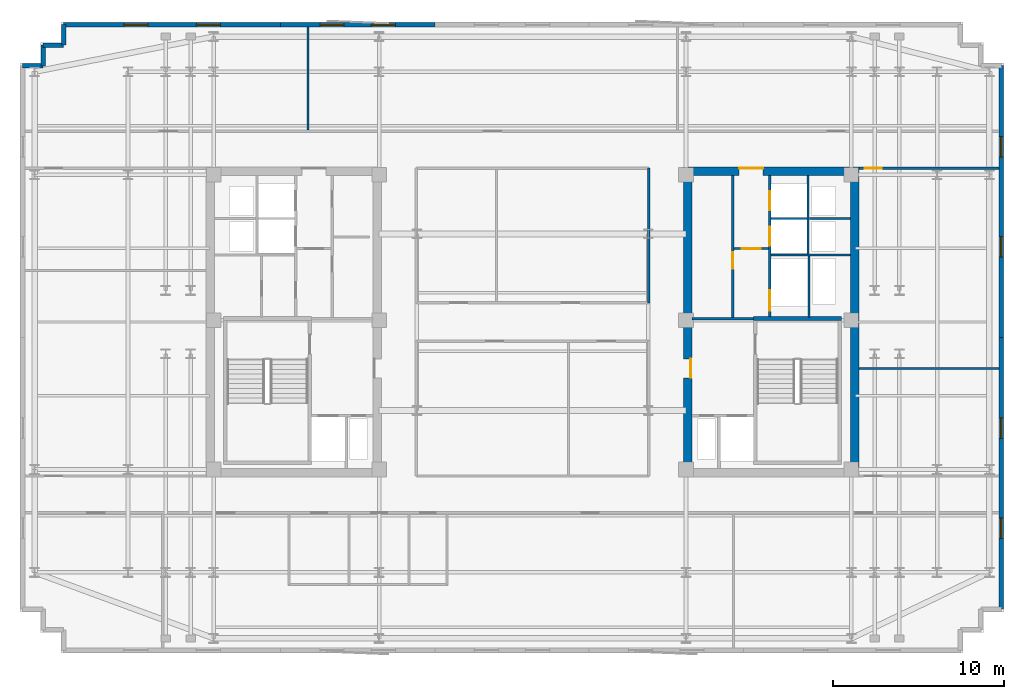
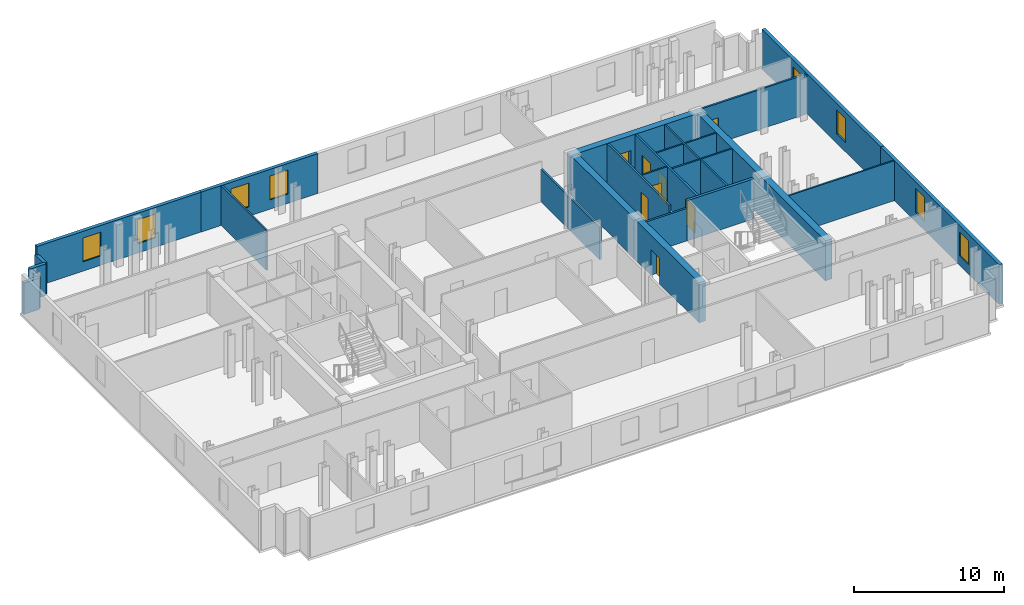
# One storey, part 6 of 9: 25 walls, 8 doors, 8 windows, 16 openings.
"""IFC4 building model written with IfcOpenShell, lengths in metres."""

from ifc_helpers import new_model, si_unit, direction, frame, frame_2d, origin, place, context, subcontext, project, spatial, rectangle, extrude, material, layer, layer_set, type_object, element, fill, save


model = new_model("IFC4")

# Units and contexts
model_context = context("Model", 3, precision=1e-05, world=origin(), true_north=direction((0.0, 1.0)))
body_context = subcontext(model_context, "Body", "Model", "MODEL_VIEW")
ifc_project = project(units=[si_unit("LENGTHUNIT", "METRE"), si_unit("AREAUNIT", "SQUARE_METRE"), si_unit("VOLUMEUNIT", "CUBIC_METRE"), si_unit("PLANEANGLEUNIT", "RADIAN"), si_unit("MASSUNIT", "GRAM", prefix="KILO")], contexts=[model_context])

# Site, building, storey
site_placement = place(None, origin())
site = spatial("IfcSite", under=ifc_project, at=site_placement, CompositionType="ELEMENT")
building_placement = place(site_placement, origin())
building = spatial("IfcBuilding", under=site, at=building_placement, Name="Velakula Bourse", CompositionType="ELEMENT")
storey_placement = place(building_placement, frame((0.0, 0.0, 215.39990234375)))
storey = spatial("IfcBuildingStorey", under=building, at=storey_placement, Name="L58", CompositionType="ELEMENT", Elevation=215.39990234375)

# Wall
ifc_material_1 = material(Name="Concrete M50 (fck 50 MPa)", Category="concrete")
ifc_layer_1 = layer(ifc_material_1, 0.2099609375, Name="Concrete M50 (fck 50 MPa)", Category="concrete")
ifc_layer_set_1 = layer_set([ifc_layer_1], Name="Concrete M50 (fck 50 MPa)")
wall_type_1 = type_object("IfcWallType", Name="WL-CORE-210", PredefinedType="SHEAR", material=ifc_layer_set_1)
wall_1_placement = place(storey_placement, frame((18.030029296875, 0.205078125, 0.0), z_axis=(0.0, 0.0, 1.0), x_axis=(-1.0, 0.0, 0.0)))
element("IfcWall", 1, at=wall_1_placement, inside=storey, type_object=wall_type_1, Name="L58 Core E Stairwell Shear Wall N", PredefinedType="SHEAR", context=body_context, shape_type="SweptSolid", body=[
    extrude(rectangle(XDim=5.14013671875, YDim=0.2099609375, at=frame_2d((2.570068359375, 0.0))), origin(), (0.0, 0.0, 1.0), 3.27001953125),
])

# Wall, opening, door
ifc_layer_2 = layer(ifc_material_1, 0.5, Name="Concrete M50 (fck 50 MPa)", Category="concrete")
ifc_layer_set_2 = layer_set([ifc_layer_2], Name="Concrete M50 (fck 50 MPa)")
wall_type_2 = type_object("IfcWallType", Name="WL-CORE-500", PredefinedType="SHEAR", material=ifc_layer_set_2)
wall_2_placement = place(storey_placement, frame((8.800048828125, 8.800048828125, 0.0), z_axis=(0.0, 0.0, 1.0), x_axis=(1.0, 0.0, 0.0)))
wall_2 = element("IfcWall", 2, at=wall_2_placement, inside=storey, type_object=wall_type_2, Name="L58 Core E Shear Wall N", PredefinedType="SHEAR", context=body_context, shape_type="SweptSolid", body=[
    extrude(rectangle(XDim=10.25, YDim=0.5, at=frame_2d((5.125, 0.0))), origin(), (0.0, 0.0, 1.0), 3.27001953125),
])
opening_1_placement = place(wall_2_placement, frame((3.25, 0.0, 0.0)))
opening_1 = element("IfcOpeningElement", 3, at=opening_1_placement, cuts=wall_2, Name="Opening D-LLE", PredefinedType="OPENING", context=body_context, shape_type="SweptSolid", body=[
    extrude(rectangle(XDim=1.39990234375, YDim=2.050048828125, at=frame_2d((0.699951171875, 1.02490234375))), frame((0.0, 0.260009765625, 0.0), z_axis=(0.0, -1.0, 0.0), x_axis=(1.0, 0.0, 0.0)), (0.0, 0.0, 1.0), 0.52001953125),
])
ifc_material_2 = material(Name="Fire-rated hardwood flush architectural door", Category="wood")
door_type_1 = type_object("IfcDoorType", Name="DR-DBL-FD60-1400", OperationType="DOUBLE_DOOR_SINGLE_SWING", PredefinedType="DOOR", material=ifc_material_2)
door_1_placement = place(opening_1_placement, origin())
door_1 = element("IfcDoor", 4, at=door_1_placement, inside=storey, type_object=door_type_1, Name="L58 Core E Lift Lobby Corridor Double Door", OperationType="DOUBLE_DOOR_SINGLE_SWING", OverallHeight=2.050048828125, OverallWidth=1.39990234375, PredefinedType="DOOR", context=body_context, shape_type="SweptSolid", body=[
    extrude(rectangle(XDim=1.39990234375, YDim=2.050048828125, at=frame_2d((0.699951171875, 1.02490234375))), frame((0.0, 0.19482421875, 0.0), z_axis=(0.0, -1.0, 0.0), x_axis=(1.0, 0.0, 0.0)), (0.0, 0.0, 1.0), 0.050048828125),
])
fill(opening_1, door_1)

wall_3_placement = place(storey_placement, frame((9.050048828125, -8.550048828125, 0.0), z_axis=(0.0, 0.0, 1.0), x_axis=(0.0, 1.0, 0.0)))
wall_3 = element("IfcWall", 5, at=wall_3_placement, inside=storey, type_object=wall_type_2, Name="L58 Core E Shear Wall W", PredefinedType="SHEAR", context=body_context, shape_type="SweptSolid", body=[
    extrude(rectangle(XDim=17.10009765625, YDim=0.5, at=frame_2d((8.550048828125, 0.0))), origin(), (0.0, 0.0, 1.0), 3.27001953125),
])
opening_2_placement = place(wall_3_placement, frame((5.300048828125, 0.0, 0.0)))
opening_2 = element("IfcOpeningElement", 6, at=opening_2_placement, cuts=wall_3, Name="Opening D-FLE", PredefinedType="OPENING", context=body_context, shape_type="SweptSolid", body=[
    extrude(rectangle(XDim=1.10009765625, YDim=2.080078125, at=frame_2d((0.550048828125, 1.0400390625))), frame((0.0, 0.260009765625, 0.0), z_axis=(0.0, -1.0, 0.0), x_axis=(1.0, 0.0, 0.0)), (0.0, 0.0, 1.0), 0.52001953125),
])
ifc_material_3 = material(Name="Galvanised painted hollow steel fire door", Category="steel")
door_type_2 = type_object("IfcDoorType", Name="DR-FD120-1100", OperationType="NOTDEFINED", PredefinedType="DOOR", material=ifc_material_3)
door_2_placement = place(opening_2_placement, origin())
door_2 = element("IfcDoor", 7, at=door_2_placement, inside=storey, type_object=door_type_2, Name="L58 Firefighting Lobby E Corridor Fire Door", OperationType="SINGLE_SWING_RIGHT", OverallHeight=2.080078125, OverallWidth=1.10009765625, PredefinedType="DOOR", context=body_context, shape_type="SweptSolid", body=[
    extrude(rectangle(XDim=1.10009765625, YDim=2.080078125, at=frame_2d((0.550048828125, 1.0400390625))), frame((0.0, -0.15478515625, 0.0), z_axis=(0.0, -1.0, 0.0), x_axis=(1.0, 0.0, 0.0)), (0.0, 0.0, 1.0), 0.050048828125),
])
fill(opening_2, door_2)

# Wall
wall_4_placement = place(storey_placement, frame((18.800048828125, -8.550048828125, 0.0), z_axis=(0.0, 0.0, 1.0), x_axis=(0.0, 1.0, 0.0)))
element("IfcWall", 8, at=wall_4_placement, inside=storey, type_object=wall_type_2, Name="L58 Core E Shear Wall E", PredefinedType="SHEAR", context=body_context, shape_type="SweptSolid", body=[
    extrude(rectangle(XDim=17.10009765625, YDim=0.5, at=frame_2d((8.550048828125, 0.0))), origin(), (0.0, 0.0, 1.0), 3.27001953125),
])

# Wall, openings, windows
ifc_material_4 = material(Name="Buff kilned clay facing brick masonry", Category="masonry")
ifc_layer_3 = layer(ifc_material_4, 0.260009765625, Name="Buff kilned clay facing brick masonry", Category="masonry")
ifc_layer_set_3 = layer_set([ifc_layer_3], Name="Buff kilned clay facing brick masonry")
wall_type_3 = type_object("IfcWallType", Name="WL-EXT-BRK-260", PredefinedType="STANDARD", material=ifc_layer_set_3)
wall_5_placement = place(storey_placement, frame((-27.35009765625, 17.35009765625, 0.0), z_axis=(0.0, 0.0, 1.0), x_axis=(1.0, 0.0, 0.0)))
wall_5 = element("IfcWall", 9, at=wall_5_placement, inside=storey, type_object=wall_type_3, Name="L58 N Brick Spandrel Wall B1", PredefinedType="STANDARD", context=body_context, shape_type="SweptSolid", body=[
    extrude(rectangle(XDim=12.650146484375, YDim=0.260009765625, at=frame_2d((6.3251953125, 0.0))), origin(), (0.0, 0.0, 1.0), 3.25),
])
opening_3_placement = place(wall_5_placement, frame((3.5166015625, 0.0, 0.760009765625)))
opening_3 = element("IfcOpeningElement", 10, at=opening_3_placement, cuts=wall_5, Name="Opening W-03", PredefinedType="OPENING", context=body_context, shape_type="SweptSolid", body=[
    extrude(rectangle(XDim=1.39990234375, YDim=1.949951171875, at=frame_2d((0.699951171875, 0.97509765625))), frame((0.0, 0.139892578125, 0.0), z_axis=(0.0, -1.0, 0.0), x_axis=(1.0, 0.0, 0.0)), (0.0, 0.0, 1.0), 0.280029296875),
])
opening_4_placement = place(wall_5_placement, frame((7.7333984375, 0.0, 0.760009765625)))
opening_4 = element("IfcOpeningElement", 11, at=opening_4_placement, cuts=wall_5, Name="Opening W-03", PredefinedType="OPENING", context=body_context, shape_type="SweptSolid", body=[
    extrude(rectangle(XDim=1.39990234375, YDim=1.949951171875, at=frame_2d((0.699951171875, 0.97509765625))), frame((0.0, 0.139892578125, 0.0), z_axis=(0.0, -1.0, 0.0), x_axis=(1.0, 0.0, 0.0)), (0.0, 0.0, 1.0), 0.280029296875),
])
ifc_material_5 = material(Name="Double-glazed solar-control Low-E glass", Category="glass")
window_type_1 = type_object("IfcWindowType", Name="WIN-TWR-1400x2100", PartitioningType="SINGLE_PANEL", PredefinedType="WINDOW", material=ifc_material_5)
window_1_placement = place(opening_3_placement, origin())
window_1 = element("IfcWindow", 12, at=window_1_placement, inside=storey, type_object=window_type_1, Name="L58 Deep-Set Recessed Window 1", OverallHeight=1.949951171875, OverallWidth=1.39990234375, PartitioningType="SINGLE_PANEL", PredefinedType="WINDOW", context=body_context, shape_type="SweptSolid", body=[
    extrude(rectangle(XDim=1.39990234375, YDim=1.949951171875, at=frame_2d((0.699951171875, 0.97509765625))), frame((0.0, 0.030029296875, 0.0), z_axis=(0.0, -1.0, 0.0), x_axis=(1.0, 0.0, 0.0)), (0.0, 0.0, 1.0), 0.06005859375),
])
fill(opening_3, window_1)
window_2_placement = place(opening_4_placement, origin())
window_2 = element("IfcWindow", 13, at=window_2_placement, inside=storey, type_object=window_type_1, Name="L58 Deep-Set Recessed Window 2", OverallHeight=1.949951171875, OverallWidth=1.39990234375, PartitioningType="SINGLE_PANEL", PredefinedType="WINDOW", context=body_context, shape_type="SweptSolid", body=[
    extrude(rectangle(XDim=1.39990234375, YDim=1.949951171875, at=frame_2d((0.699951171875, 0.97509765625))), frame((0.0, 0.030029296875, 0.0), z_axis=(0.0, -1.0, 0.0), x_axis=(1.0, 0.0, 0.0)), (0.0, 0.0, 1.0), 0.06005859375),
])
fill(opening_4, window_2)

wall_6_placement = place(storey_placement, frame((-14.699951171875, 17.35009765625, 0.0), z_axis=(0.0, 0.0, 1.0), x_axis=(1.0, 0.0, 0.0)))
wall_6 = element("IfcWall", 14, at=wall_6_placement, inside=storey, type_object=wall_type_3, Name="L58 N Brick Spandrel Wall B2", PredefinedType="STANDARD", context=body_context, shape_type="SweptSolid", body=[
    extrude(rectangle(XDim=9.0, YDim=0.260009765625, at=frame_2d((4.5, 0.0))), origin(), (0.0, 0.0, 1.0), 3.25),
])
opening_5_placement = place(wall_6_placement, frame((2.300048828125, 0.0, 0.760009765625)))
opening_5 = element("IfcOpeningElement", 15, at=opening_5_placement, cuts=wall_6, Name="Opening W-03", PredefinedType="OPENING", context=body_context, shape_type="SweptSolid", body=[
    extrude(rectangle(XDim=1.39990234375, YDim=1.949951171875, at=frame_2d((0.699951171875, 0.97509765625))), frame((0.0, 0.139892578125, 0.0), z_axis=(0.0, -1.0, 0.0), x_axis=(1.0, 0.0, 0.0)), (0.0, 0.0, 1.0), 0.280029296875),
])
opening_6_placement = place(wall_6_placement, frame((5.300048828125, 0.0, 0.760009765625)))
opening_6 = element("IfcOpeningElement", 16, at=opening_6_placement, cuts=wall_6, Name="Opening W-03", PredefinedType="OPENING", context=body_context, shape_type="SweptSolid", body=[
    extrude(rectangle(XDim=1.39990234375, YDim=1.949951171875, at=frame_2d((0.699951171875, 0.97509765625))), frame((0.0, 0.139892578125, 0.0), z_axis=(0.0, -1.0, 0.0), x_axis=(1.0, 0.0, 0.0)), (0.0, 0.0, 1.0), 0.280029296875),
])
window_3_placement = place(opening_5_placement, origin())
window_3 = element("IfcWindow", 17, at=window_3_placement, inside=storey, type_object=window_type_1, Name="L58 Deep-Set Recessed Window 1", OverallHeight=1.949951171875, OverallWidth=1.39990234375, PartitioningType="SINGLE_PANEL", PredefinedType="WINDOW", context=body_context, shape_type="SweptSolid", body=[
    extrude(rectangle(XDim=1.39990234375, YDim=1.949951171875, at=frame_2d((0.699951171875, 0.97509765625))), frame((0.0, 0.030029296875, 0.0), z_axis=(0.0, -1.0, 0.0), x_axis=(1.0, 0.0, 0.0)), (0.0, 0.0, 1.0), 0.06005859375),
])
fill(opening_5, window_3)
window_4_placement = place(opening_6_placement, origin())
window_4 = element("IfcWindow", 18, at=window_4_placement, inside=storey, type_object=window_type_1, Name="L58 Deep-Set Recessed Window 2", OverallHeight=1.949951171875, OverallWidth=1.39990234375, PartitioningType="SINGLE_PANEL", PredefinedType="WINDOW", context=body_context, shape_type="SweptSolid", body=[
    extrude(rectangle(XDim=1.39990234375, YDim=1.949951171875, at=frame_2d((0.699951171875, 0.97509765625))), frame((0.0, 0.030029296875, 0.0), z_axis=(0.0, -1.0, 0.0), x_axis=(1.0, 0.0, 0.0)), (0.0, 0.0, 1.0), 0.06005859375),
])
fill(opening_6, window_4)

wall_7_placement = place(storey_placement, frame((27.35009765625, -0.89990234375, 0.0), z_axis=(0.0, 0.0, 1.0), x_axis=(0.0, -1.0, 0.0)))
wall_7 = element("IfcWall", 19, at=wall_7_placement, inside=storey, type_object=wall_type_3, Name="L58 E Brick End Wall W1", PredefinedType="STANDARD", context=body_context, shape_type="SweptSolid", body=[
    extrude(rectangle(XDim=15.85009765625, YDim=0.260009765625, at=frame_2d((7.925048828125, 0.0))), origin(), (0.0, 0.0, 1.0), 3.25),
])
opening_7_placement = place(wall_7_placement, frame((4.683349609375, 0.0, 0.760009765625)))
opening_7 = element("IfcOpeningElement", 20, at=opening_7_placement, cuts=wall_7, Name="Opening W-04", PredefinedType="OPENING", context=body_context, shape_type="SweptSolid", body=[
    extrude(rectangle(XDim=1.199951171875, YDim=1.949951171875, at=frame_2d((0.60009765625, 0.97509765625))), frame((0.0, 0.139892578125, 0.0), z_axis=(0.0, -1.0, 0.0), x_axis=(1.0, 0.0, 0.0)), (0.0, 0.0, 1.0), 0.280029296875),
])
opening_8_placement = place(wall_7_placement, frame((10.5166015625, 0.0, 0.760009765625)))
opening_8 = element("IfcOpeningElement", 21, at=opening_8_placement, cuts=wall_7, Name="Opening W-04", PredefinedType="OPENING", context=body_context, shape_type="SweptSolid", body=[
    extrude(rectangle(XDim=1.199951171875, YDim=1.949951171875, at=frame_2d((0.60009765625, 0.97509765625))), frame((0.0, 0.139892578125, 0.0), z_axis=(0.0, -1.0, 0.0), x_axis=(1.0, 0.0, 0.0)), (0.0, 0.0, 1.0), 0.280029296875),
])
window_type_2 = type_object("IfcWindowType", Name="WIN-TWR-1200x2100", PartitioningType="SINGLE_PANEL", PredefinedType="WINDOW", material=ifc_material_5)
window_5_placement = place(opening_7_placement, origin())
window_5 = element("IfcWindow", 22, at=window_5_placement, inside=storey, type_object=window_type_2, Name="L58 Deep-Set Recessed Window 1", OverallHeight=1.949951171875, OverallWidth=1.199951171875, PartitioningType="SINGLE_PANEL", PredefinedType="WINDOW", context=body_context, shape_type="SweptSolid", body=[
    extrude(rectangle(XDim=1.199951171875, YDim=1.949951171875, at=frame_2d((0.60009765625, 0.97509765625))), frame((0.0, 0.030029296875, 0.0), z_axis=(0.0, -1.0, 0.0), x_axis=(1.0, 0.0, 0.0)), (0.0, 0.0, 1.0), 0.06005859375),
])
fill(opening_7, window_5)
window_6_placement = place(opening_8_placement, origin())
window_6 = element("IfcWindow", 23, at=window_6_placement, inside=storey, type_object=window_type_2, Name="L58 Deep-Set Recessed Window 2", OverallHeight=1.949951171875, OverallWidth=1.199951171875, PartitioningType="SINGLE_PANEL", PredefinedType="WINDOW", context=body_context, shape_type="SweptSolid", body=[
    extrude(rectangle(XDim=1.199951171875, YDim=1.949951171875, at=frame_2d((0.60009765625, 0.97509765625))), frame((0.0, 0.030029296875, 0.0), z_axis=(0.0, -1.0, 0.0), x_axis=(1.0, 0.0, 0.0)), (0.0, 0.0, 1.0), 0.06005859375),
])
fill(opening_8, window_6)

wall_8_placement = place(storey_placement, frame((27.35009765625, 14.949951171875, 0.0), z_axis=(0.0, 0.0, 1.0), x_axis=(0.0, -1.0, 0.0)))
wall_8 = element("IfcWall", 24, at=wall_8_placement, inside=storey, type_object=wall_type_3, Name="L58 E Brick End Wall W2", PredefinedType="STANDARD", context=body_context, shape_type="SweptSolid", body=[
    extrude(rectangle(XDim=15.849853515625, YDim=0.260009765625, at=frame_2d((7.9248046875, 0.0))), origin(), (0.0, 0.0, 1.0), 3.25),
])
opening_9_placement = place(wall_8_placement, frame((4.13330078125, 0.0, 0.760009765625)))
opening_9 = element("IfcOpeningElement", 25, at=opening_9_placement, cuts=wall_8, Name="Opening W-04", PredefinedType="OPENING", context=body_context, shape_type="SweptSolid", body=[
    extrude(rectangle(XDim=1.199951171875, YDim=1.949951171875, at=frame_2d((0.60009765625, 0.97509765625))), frame((0.0, 0.139892578125, 0.0), z_axis=(0.0, -1.0, 0.0), x_axis=(1.0, 0.0, 0.0)), (0.0, 0.0, 1.0), 0.280029296875),
])
opening_10_placement = place(wall_8_placement, frame((9.966796875, 0.0, 0.760009765625)))
opening_10 = element("IfcOpeningElement", 26, at=opening_10_placement, cuts=wall_8, Name="Opening W-04", PredefinedType="OPENING", context=body_context, shape_type="SweptSolid", body=[
    extrude(rectangle(XDim=1.199951171875, YDim=1.949951171875, at=frame_2d((0.60009765625, 0.97509765625))), frame((0.0, 0.139892578125, 0.0), z_axis=(0.0, -1.0, 0.0), x_axis=(1.0, 0.0, 0.0)), (0.0, 0.0, 1.0), 0.280029296875),
])
window_7_placement = place(opening_9_placement, origin())
window_7 = element("IfcWindow", 27, at=window_7_placement, inside=storey, type_object=window_type_2, Name="L58 Deep-Set Recessed Window 1", OverallHeight=1.949951171875, OverallWidth=1.199951171875, PartitioningType="SINGLE_PANEL", PredefinedType="WINDOW", context=body_context, shape_type="SweptSolid", body=[
    extrude(rectangle(XDim=1.199951171875, YDim=1.949951171875, at=frame_2d((0.60009765625, 0.97509765625))), frame((0.0, 0.030029296875, 0.0), z_axis=(0.0, -1.0, 0.0), x_axis=(1.0, 0.0, 0.0)), (0.0, 0.0, 1.0), 0.06005859375),
])
fill(opening_9, window_7)
window_8_placement = place(opening_10_placement, origin())
window_8 = element("IfcWindow", 28, at=window_8_placement, inside=storey, type_object=window_type_2, Name="L58 Deep-Set Recessed Window 2", OverallHeight=1.949951171875, OverallWidth=1.199951171875, PartitioningType="SINGLE_PANEL", PredefinedType="WINDOW", context=body_context, shape_type="SweptSolid", body=[
    extrude(rectangle(XDim=1.199951171875, YDim=1.949951171875, at=frame_2d((0.60009765625, 0.97509765625))), frame((0.0, 0.030029296875, 0.0), z_axis=(0.0, -1.0, 0.0), x_axis=(1.0, 0.0, 0.0)), (0.0, 0.0, 1.0), 0.06005859375),
])
fill(opening_10, window_8)

# Walls
wall_9_placement = place(storey_placement, frame((-27.35009765625, 17.35009765625, 0.0), z_axis=(0.0, 0.0, 1.0), x_axis=(0.0, -1.0, 0.0)))
element("IfcWall", 29, at=wall_9_placement, inside=storey, type_object=wall_type_3, Name="L58 Serrated Corner Brick Wall NW-1", PredefinedType="STANDARD", context=body_context, shape_type="SweptSolid", body=[
    extrude(rectangle(XDim=1.2001953125, YDim=0.260009765625, at=frame_2d((0.60009765625, 0.0))), origin(), (0.0, 0.0, 1.0), 2.565185546875),
])
for number, where, z_axis, x_axis, name in (
    (30, (-27.35009765625, 16.14990234375, 0.0), (0.0, 0.0, 1.0), (-1.0, 0.0, 0.0), "L58 Serrated Corner Brick Wall NW-2"),
    (31, (-28.550048828125, 16.14990234375, 0.0), (0.0, 0.0, 1.0), (0.0, -1.0, 0.0), "L58 Serrated Corner Brick Wall NW-3"),
    (32, (-28.550048828125, 14.949951171875, 0.0), (0.0, 0.0, 1.0), (-1.0, 0.0, 0.0), "L58 Serrated Corner Brick Wall NW-4"),
):
    element("IfcWall", number, at=place(storey_placement, frame(where, z_axis=z_axis, x_axis=x_axis)), inside=storey, type_object=wall_type_3, Name=name, PredefinedType="STANDARD", context=body_context, shape_type="SweptSolid", body=[
        extrude(rectangle(XDim=1.199951171875, YDim=0.260009765625, at=frame_2d((0.60009765625, 0.0))), origin(), (0.0, 0.0, 1.0), 2.565185546875),
    ])

# Wall, opening, door
ifc_material_6 = material(Name="Fire-rated double-layer gypsum drywall partition", Category="gypsum")
ifc_layer_4 = layer(ifc_material_6, 0.1201171875, Name="Fire-rated double-layer gypsum drywall partition", Category="gypsum")
ifc_layer_set_4 = layer_set([ifc_layer_4], Name="Fire-rated double-layer gypsum drywall partition")
wall_type_4 = type_object("IfcWallType", Name="WL-PART-120", PredefinedType="STANDARD", material=ifc_layer_set_4)
wall_10_placement = place(storey_placement, frame((11.75, 4.280029296875, 0.0), z_axis=(0.0, 0.0, 1.0), x_axis=(1.0, 0.0, 0.0)))
wall_10 = element("IfcWall", 33, at=wall_10_placement, inside=storey, type_object=wall_type_4, Name="L58 Interior Partition WL-CRE-L58-LL-K2", PredefinedType="STANDARD", context=body_context, shape_type="SweptSolid", body=[
    extrude(rectangle(XDim=2.0, YDim=0.1201171875, at=frame_2d((1.0, 0.0))), origin(), (0.0, 0.0, 1.0), 3.25),
])
opening_11_placement = place(wall_10_placement, frame((0.449951171875, 0.0, 0.0)))
opening_11 = element("IfcOpeningElement", 34, at=opening_11_placement, cuts=wall_10, Name="Opening D-LK2", PredefinedType="OPENING", context=body_context, shape_type="SweptSolid", body=[
    extrude(rectangle(XDim=1.10009765625, YDim=2.10009765625, at=frame_2d((0.550048828125, 1.050048828125))), frame((0.0, 0.070068359375, 0.0), z_axis=(0.0, -1.0, 0.0), x_axis=(1.0, 0.0, 0.0)), (0.0, 0.0, 1.0), 0.14013671875),
])
door_type_3 = type_object("IfcDoorType", Name="DR-FD60-1100x2100", OperationType="NOTDEFINED", PredefinedType="DOOR", material=ifc_material_2)
door_3_placement = place(opening_11_placement, origin())
door_3 = element("IfcDoor", 35, at=door_3_placement, inside=storey, type_object=door_type_3, Name="L58 Core E Lift Lobby Zone Door", OperationType="SINGLE_SWING_LEFT", OverallHeight=2.10009765625, OverallWidth=1.10009765625, PredefinedType="DOOR", context=body_context, shape_type="SweptSolid", body=[
    extrude(rectangle(XDim=1.10009765625, YDim=2.10009765625, at=frame_2d((0.550048828125, 1.050048828125))), frame((0.0, 0.02490234375, 0.0), z_axis=(0.0, -1.0, 0.0), x_axis=(1.0, 0.0, 0.0)), (0.0, 0.0, 1.0), 0.050048828125),
])
fill(opening_11, door_3)

# Walls
wall_11_placement = place(storey_placement, frame((13.89990234375, 3.919921875, 0.0), z_axis=(0.0, 0.0, 1.0), x_axis=(1.0, 0.0, 0.0)))
element("IfcWall", 36, at=wall_11_placement, inside=storey, type_object=wall_type_4, Name="L58 Interior Partition WL-CRE-L58-HI-S", PredefinedType="STANDARD", context=body_context, shape_type="SweptSolid", body=[
    extrude(rectangle(XDim=4.650146484375, YDim=0.1201171875, at=frame_2d((2.3251953125, 0.0))), origin(), (0.0, 0.0, 1.0), 3.25),
])
wall_12_placement = place(storey_placement, frame((16.14990234375, 6.030029296875, 0.0), z_axis=(0.0, 0.0, 1.0), x_axis=(1.0, 0.0, 0.0)))
element("IfcWall", 37, at=wall_12_placement, inside=storey, type_object=wall_type_4, Name="L58 Interior Partition WL-CRE-L58-RIS-MID", PredefinedType="STANDARD", context=body_context, shape_type="SweptSolid", body=[
    extrude(rectangle(XDim=2.400146484375, YDim=0.1201171875, at=frame_2d((1.2001953125, 0.0))), origin(), (0.0, 0.0, 1.0), 3.25),
])
wall_13_placement = place(storey_placement, frame((16.074951171875, 3.97998046875, 0.0), z_axis=(0.0, 0.0, 1.0), x_axis=(0.0, 1.0, 0.0)))
element("IfcWall", 38, at=wall_13_placement, inside=storey, type_object=wall_type_4, Name="L58 Interior Partition WL-CRE-L58-RIS-F", PredefinedType="STANDARD", context=body_context, shape_type="SweptSolid", body=[
    extrude(rectangle(XDim=4.570068359375, YDim=0.1201171875, at=frame_2d((2.28515625, 0.0))), origin(), (0.0, 0.0, 1.0), 3.25),
])
wall_14_placement = place(storey_placement, frame((13.89990234375, 6.030029296875, 0.0), z_axis=(0.0, 0.0, 1.0), x_axis=(1.0, 0.0, 0.0)))
element("IfcWall", 39, at=wall_14_placement, inside=storey, type_object=wall_type_4, Name="L58 Interior Partition WL-CRE-L58-HI-DIV", PredefinedType="STANDARD", context=body_context, shape_type="SweptSolid", body=[
    extrude(rectangle(XDim=2.10009765625, YDim=0.1201171875, at=frame_2d((1.050048828125, 0.0))), origin(), (0.0, 0.0, 1.0), 3.25),
])
wall_15_placement = place(storey_placement, frame((16.125, 0.27001953125, 0.0), z_axis=(0.0, 0.0, 1.0), x_axis=(0.0, 1.0, 0.0)))
element("IfcWall", 40, at=wall_15_placement, inside=storey, type_object=wall_type_4, Name="L58 Interior Partition WL-CRE-L58-SVL-E", PredefinedType="STANDARD", context=body_context, shape_type="SweptSolid", body=[
    extrude(rectangle(XDim=3.590087890625, YDim=0.1201171875, at=frame_2d((1.794921875, 0.0))), origin(), (0.0, 0.0, 1.0), 3.25),
])
wall_16_placement = place(storey_placement, frame((-13.111083984375, 11.18994140625, 0.0), z_axis=(0.0, 0.0, 1.0), x_axis=(0.0, 1.0, 0.0)))
element("IfcWall", 41, at=wall_16_placement, inside=storey, type_object=wall_type_4, Name="L58 Interior Partition WL-INT-L58-N-D1", PredefinedType="STANDARD", context=body_context, shape_type="SweptSolid", body=[
    extrude(rectangle(XDim=6.030029296875, YDim=0.1201171875, at=frame_2d((3.01513671875, 0.0))), origin(), (0.0, 0.0, 1.0), 3.25),
])
wall_17_placement = place(storey_placement, frame((19.050048828125, -2.699951171875, 0.0), z_axis=(0.0, 0.0, 1.0), x_axis=(1.0, 0.0, 0.0)))
element("IfcWall", 42, at=wall_17_placement, inside=storey, type_object=wall_type_4, Name="L58 Interior Partition WL-INT-L58-E-H", PredefinedType="STANDARD", context=body_context, shape_type="SweptSolid", body=[
    extrude(rectangle(XDim=8.169921875, YDim=0.1201171875, at=frame_2d((4.0849609375, 0.0))), origin(), (0.0, 0.0, 1.0), 3.25),
])

# Wall, opening, door
ifc_layer_5 = layer(ifc_material_6, 0.139892578125, Name="Fire-rated double-layer gypsum drywall partition", Category="gypsum")
ifc_layer_set_5 = layer_set([ifc_layer_5], Name="Fire-rated double-layer gypsum drywall partition")
wall_type_5 = type_object("IfcWallType", Name="WL-PART-140", PredefinedType="STANDARD", material=ifc_layer_set_5)
wall_18_placement = place(storey_placement, frame((19.050048828125, 8.97998046875, 0.0), z_axis=(0.0, 0.0, 1.0), x_axis=(1.0, 0.0, 0.0)))
wall_18 = element("IfcWall", 43, at=wall_18_placement, inside=storey, type_object=wall_type_5, Name="L58 Interior Partition WL-INT-L58-E-NC", PredefinedType="STANDARD", context=body_context, shape_type="SweptSolid", body=[
    extrude(rectangle(XDim=8.169921875, YDim=0.139892578125, at=frame_2d((4.0849609375, 0.0))), origin(), (0.0, 0.0, 1.0), 3.25),
])
opening_12_placement = place(wall_18_placement, frame((0.320068359375, 0.0, 0.0)))
opening_12 = element("IfcOpeningElement", 44, at=opening_12_placement, cuts=wall_18, Name="Opening D-OF1", PredefinedType="OPENING", context=body_context, shape_type="SweptSolid", body=[
    extrude(rectangle(XDim=1.0, YDim=2.080078125, at=frame_2d((0.5, 1.0400390625))), frame((0.0, 0.079833984375, 0.0), z_axis=(0.0, -1.0, 0.0), x_axis=(1.0, 0.0, 0.0)), (0.0, 0.0, 1.0), 0.159912109375),
])
door_type_4 = type_object("IfcDoorType", Name="DR-OFF-1000", OperationType="NOTDEFINED", PredefinedType="DOOR", material=ifc_material_2)
door_4_placement = place(opening_12_placement, origin())
door_4 = element("IfcDoor", 45, at=door_4_placement, inside=storey, type_object=door_type_4, Name="L58 Treasury Operations Office Door", OperationType="SINGLE_SWING_LEFT", OverallHeight=2.080078125, OverallWidth=1.0, PredefinedType="DOOR", context=body_context, shape_type="SweptSolid", body=[
    extrude(rectangle(XDim=1.0, YDim=2.080078125, at=frame_2d((0.5, 1.0400390625))), frame((0.0, 0.02490234375, 0.0), z_axis=(0.0, -1.0, 0.0), x_axis=(1.0, 0.0, 0.0)), (0.0, 0.0, 1.0), 0.050048828125),
])
fill(opening_12, door_4)

# Walls
wall_19_placement = place(storey_placement, frame((6.780029296875, 1.1201171875, 0.0), z_axis=(0.0, 0.0, 1.0), x_axis=(0.0, 1.0, 0.0)))
element("IfcWall", 46, at=wall_19_placement, inside=storey, type_object=wall_type_5, Name="L58 Interior Partition WL-INT-L58-MN-E", PredefinedType="STANDARD", context=body_context, shape_type="SweptSolid", body=[
    extrude(rectangle(XDim=7.85986328125, YDim=0.139892578125, at=frame_2d((3.929931640625, 0.0))), origin(), (0.0, 0.0, 1.0), 2.64501953125),
])
ifc_material_7 = material(Name="Autoclaved aerated concrete blockwork masonry", Category="masonry")
ifc_layer_6 = layer(ifc_material_7, 0.14990234375, Name="Autoclaved aerated concrete blockwork masonry", Category="masonry")
ifc_layer_set_6 = layer_set([ifc_layer_6], Name="Autoclaved aerated concrete blockwork masonry")
wall_type_6 = type_object("IfcWallType", Name="WL-SHAFT-150", PredefinedType="STANDARD", material=ifc_layer_set_6)
wall_20_placement = place(storey_placement, frame((9.300048828125, 0.18994140625, 0.0), z_axis=(0.0, 0.0, 1.0), x_axis=(1.0, 0.0, 0.0)))
element("IfcWall", 47, at=wall_20_placement, inside=storey, type_object=wall_type_6, Name="L58 Interior Partition WL-CRE-L58-FF-TOP", PredefinedType="STANDARD", context=body_context, shape_type="SweptSolid", body=[
    extrude(rectangle(XDim=3.58984375, YDim=0.14990234375, at=frame_2d((1.794921875, 0.0))), origin(), (0.0, 0.0, 1.0), 2.64501953125),
])

# Wall, opening, door
wall_21_placement = place(storey_placement, frame((11.675048828125, 0.27001953125, 0.0), z_axis=(0.0, 0.0, 1.0), x_axis=(0.0, 1.0, 0.0)))
wall_21 = element("IfcWall", 48, at=wall_21_placement, inside=storey, type_object=wall_type_6, Name="L58 Interior Partition WL-CRE-L58-BANK-F", PredefinedType="STANDARD", context=body_context, shape_type="SweptSolid", body=[
    extrude(rectangle(XDim=8.280029296875, YDim=0.14990234375, at=frame_2d((4.14013671875, 0.0))), origin(), (0.0, 0.0, 1.0), 3.25),
])
opening_13_placement = place(wall_21_placement, frame((2.85009765625, 0.0, 0.0)))
opening_13 = element("IfcOpeningElement", 49, at=opening_13_placement, cuts=wall_21, Name="Opening D-RC5", PredefinedType="OPENING", context=body_context, shape_type="SweptSolid", body=[
    extrude(rectangle(XDim=0.949951171875, YDim=2.050048828125, at=frame_2d((0.47509765625, 1.02490234375))), frame((0.0, 0.0849609375, 0.0), z_axis=(0.0, -1.0, 0.0), x_axis=(1.0, 0.0, 0.0)), (0.0, 0.0, 1.0), 0.169921875),
])
door_type_5 = type_object("IfcDoorType", Name="DR-FD60-950x2050", OperationType="NOTDEFINED", PredefinedType="DOOR", material=ifc_material_2)
door_5_placement = place(opening_13_placement, origin())
door_5 = element("IfcDoor", 50, at=door_5_placement, inside=storey, type_object=door_type_5, Name="L58 Reclaimed Multi-Bay Depository Room Door", OperationType="SINGLE_SWING_LEFT", OverallHeight=2.050048828125, OverallWidth=0.949951171875, PredefinedType="DOOR", context=body_context, shape_type="SweptSolid", body=[
    extrude(rectangle(XDim=0.949951171875, YDim=2.050048828125, at=frame_2d((0.47509765625, 1.02490234375))), frame((0.0, 0.02490234375, 0.0), z_axis=(0.0, -1.0, 0.0), x_axis=(1.0, 0.0, 0.0)), (0.0, 0.0, 1.0), 0.050048828125),
])
fill(opening_13, door_5)

# Wall, openings, doors
wall_22_placement = place(storey_placement, frame((13.824951171875, 0.27001953125, 0.0), z_axis=(0.0, 0.0, 1.0), x_axis=(0.0, 1.0, 0.0)))
wall_22 = element("IfcWall", 51, at=wall_22_placement, inside=storey, type_object=wall_type_6, Name="L58 Interior Partition WL-CRE-L58-OUT-F", PredefinedType="STANDARD", context=body_context, shape_type="SweptSolid", body=[
    extrude(rectangle(XDim=8.280029296875, YDim=0.14990234375, at=frame_2d((4.14013671875, 0.0))), origin(), (0.0, 0.0, 1.0), 3.25),
])
opening_14_placement = place(wall_22_placement, frame((4.175048828125, 0.0, 0.0)))
opening_14 = element("IfcOpeningElement", 52, at=opening_14_placement, cuts=wall_22, Name="Opening LD-P11", PredefinedType="OPENING", context=body_context, shape_type="SweptSolid", body=[
    extrude(rectangle(XDim=1.10009765625, YDim=2.10009765625, at=frame_2d((0.550048828125, 1.050048828125))), frame((0.0, 0.0849609375, 0.0), z_axis=(0.0, -1.0, 0.0), x_axis=(1.0, 0.0, 0.0)), (0.0, 0.0, 1.0), 0.169921875),
])
opening_15_placement = place(wall_22_placement, frame((6.2451171875, 0.0, 0.0)))
opening_15 = element("IfcOpeningElement", 53, at=opening_15_placement, cuts=wall_22, Name="Opening LD-P12", PredefinedType="OPENING", context=body_context, shape_type="SweptSolid", body=[
    extrude(rectangle(XDim=1.10009765625, YDim=2.10009765625, at=frame_2d((0.550048828125, 1.050048828125))), frame((0.0, 0.0849609375, 0.0), z_axis=(0.0, -1.0, 0.0), x_axis=(1.0, 0.0, 0.0)), (0.0, 0.0, 1.0), 0.169921875),
])
opening_16_placement = place(wall_22_placement, frame((0.3798828125, 0.0, 0.0)))
opening_16 = element("IfcOpeningElement", 54, at=opening_16_placement, cuts=wall_22, Name="Opening LD-SVL1", PredefinedType="OPENING", context=body_context, shape_type="SweptSolid", body=[
    extrude(rectangle(XDim=1.199951171875, YDim=2.10009765625, at=frame_2d((0.60009765625, 1.050048828125))), frame((0.0, 0.0849609375, 0.0), z_axis=(0.0, -1.0, 0.0), x_axis=(1.0, 0.0, 0.0)), (0.0, 0.0, 1.0), 0.169921875),
])
ifc_material_8 = material(Name="Brushed grade 316 stainless steel", Category="steel")
door_type_6 = type_object("IfcDoorType", Name="DR-SLIDE-LD-1100", OperationType="DOUBLE_DOOR_SLIDING", PredefinedType="DOOR", material=ifc_material_8)
door_6_placement = place(opening_14_placement, origin())
door_6 = element("IfcDoor", 55, at=door_6_placement, inside=storey, type_object=door_type_6, Name="L58 Passenger Lift P11 Sliding Landing Door", OperationType="DOUBLE_DOOR_SLIDING", OverallHeight=2.10009765625, OverallWidth=1.10009765625, PredefinedType="DOOR", context=body_context, shape_type="SweptSolid", body=[
    extrude(rectangle(XDim=1.10009765625, YDim=2.10009765625, at=frame_2d((0.550048828125, 1.050048828125))), frame((0.0, 0.02490234375, 0.0), z_axis=(0.0, -1.0, 0.0), x_axis=(1.0, 0.0, 0.0)), (0.0, 0.0, 1.0), 0.050048828125),
])
fill(opening_14, door_6)
door_7_placement = place(opening_15_placement, origin())
door_7 = element("IfcDoor", 56, at=door_7_placement, inside=storey, type_object=door_type_6, Name="L58 Passenger Lift P12 Sliding Landing Door", OperationType="DOUBLE_DOOR_SLIDING", OverallHeight=2.10009765625, OverallWidth=1.10009765625, PredefinedType="DOOR", context=body_context, shape_type="SweptSolid", body=[
    extrude(rectangle(XDim=1.10009765625, YDim=2.10009765625, at=frame_2d((0.550048828125, 1.050048828125))), frame((0.0, 0.02490234375, 0.0), z_axis=(0.0, -1.0, 0.0), x_axis=(1.0, 0.0, 0.0)), (0.0, 0.0, 1.0), 0.050048828125),
])
fill(opening_15, door_7)
door_type_7 = type_object("IfcDoorType", Name="DR-SLIDE-LD-1200", OperationType="DOUBLE_DOOR_SLIDING", PredefinedType="DOOR", material=ifc_material_8)
door_8_placement = place(opening_16_placement, origin())
door_8 = element("IfcDoor", 57, at=door_8_placement, inside=storey, type_object=door_type_7, Name="L58 Service Lift SVL-1 Sliding Landing Door", OperationType="DOUBLE_DOOR_SLIDING", OverallHeight=2.10009765625, OverallWidth=1.199951171875, PredefinedType="DOOR", context=body_context, shape_type="SweptSolid", body=[
    extrude(rectangle(XDim=1.199951171875, YDim=2.10009765625, at=frame_2d((0.60009765625, 1.050048828125))), frame((0.0, 0.02490234375, 0.0), z_axis=(0.0, -1.0, 0.0), x_axis=(1.0, 0.0, 0.0)), (0.0, 0.0, 1.0), 0.050048828125),
])
fill(opening_16, door_8)

save(model, "model.ifc")
